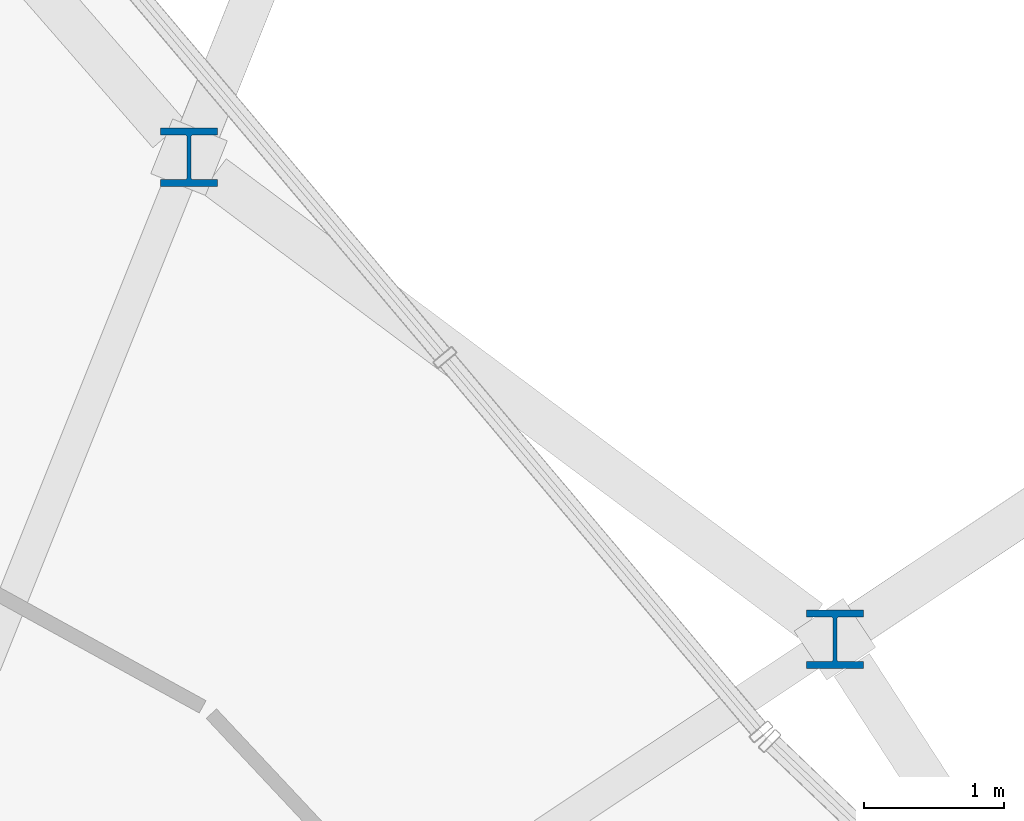
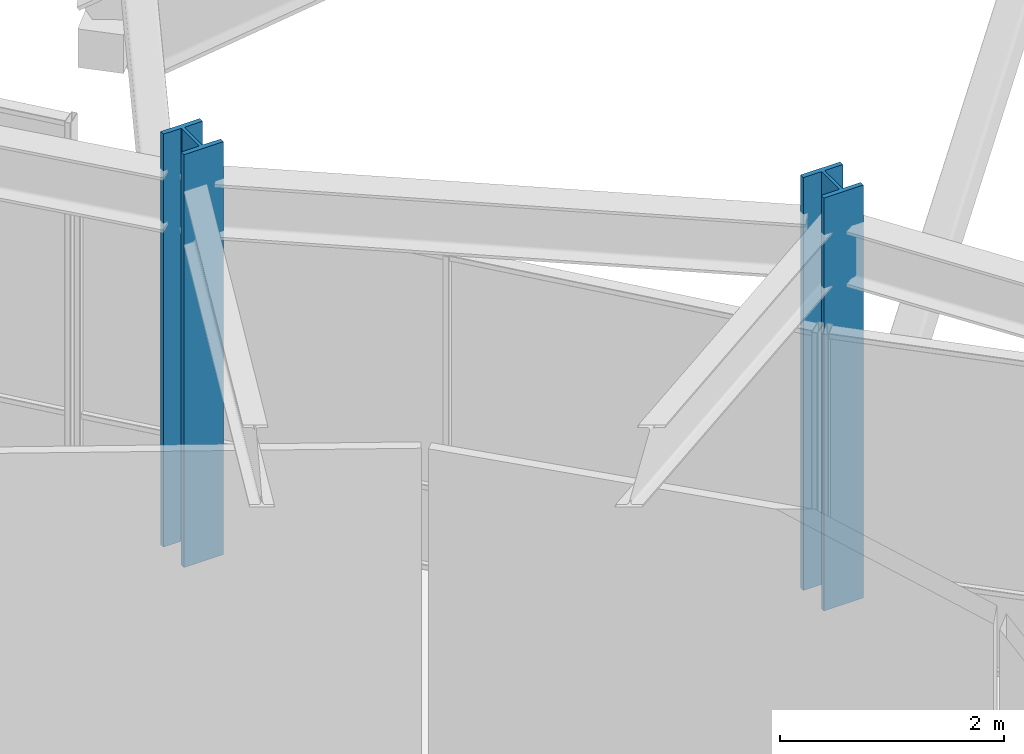
# One storey, part 4 of 53: 2 columns.
"""IFC4 building model written with IfcOpenShell, lengths in metres."""

import ifcopenshell
import ifcopenshell.guid

model = None  # the IFC model being written
_history = None  # IfcOwnerHistory: only IFC2X3 demands one
_inside = {}  # id of a spatial element -> (the spatial element, [elements in it])
_under = {}  # id of a project, library or spatial element -> (it, [spatial elements below it])
_declared = {}  # id of a project -> (the project, [libraries it declares])
_typed = {}  # id of a type object -> (the type object, [elements of that type])
_made_of = {}  # id of a material, layer set ... -> (it, [elements and type objects made of it])


def new_model(schema):
    """Start an empty IFC model of exactly this schema.

    Asked for "IFC4X3", IfcOpenShell would pick the latest addendum, in which some entities
    have other attributes; the version numbers below select the first issue.
    IFC2X3 requires an IfcOwnerHistory on every rooted entity: one is made here for all.
    """
    global model, _history
    if schema == "IFC4X3":
        model = ifcopenshell.file(schema_version=(4, 3, 0, 0))
    else:
        model = ifcopenshell.file(schema=schema)
    _inside.clear()
    _under.clear()
    _declared.clear()
    _typed.clear()
    _made_of.clear()
    _history = None
    if model.schema == "IFC2X3":
        org = make("IfcOrganization", Name="unknown")
        user = make(
            "IfcPersonAndOrganization",
            ThePerson=make("IfcPerson", FamilyName="unknown"),
            TheOrganization=org,
        )
        app = make(
            "IfcApplication",
            ApplicationDeveloper=org,
            Version="unknown",
            ApplicationFullName="unknown",
            ApplicationIdentifier="unknown",
        )
        _history = make(
            "IfcOwnerHistory",
            OwningUser=user,
            OwningApplication=app,
            ChangeAction="ADDED",
            CreationDate=0,
        )
    return model


def make(cls, **values):
    """One entity of the class cls with the attributes given. An attribute that is None is left unset."""
    return model.create_entity(
        cls, **{name: value for name, value in values.items() if value is not None}
    )


def rooted(cls, **values):
    """An entity with a GlobalId (a new one), such as an element, a storey or a relation."""
    return make(cls, GlobalId=ifcopenshell.guid.new(), OwnerHistory=_history, **values)


def si_unit(unit_type, name, prefix=None):
    """IfcSIUnit, for example si_unit("LENGTHUNIT", "METRE", prefix="MILLI")."""
    return make("IfcSIUnit", UnitType=unit_type, Prefix=prefix, Name=name)


def assignment(units):
    """IfcUnitAssignment: the units of a project."""
    return None if units is None else make("IfcUnitAssignment", Units=units)


def point(xyz):
    """IfcCartesianPoint."""
    return None if xyz is None else make("IfcCartesianPoint", Coordinates=xyz)


def direction(xyz):
    """IfcDirection."""
    return None if xyz is None else make("IfcDirection", DirectionRatios=xyz)


def frame(location, z_axis=None, x_axis=None):
    """IfcAxis2Placement3D, a coordinate frame: its origin and axes. An axis left out is left unset."""
    return make(
        "IfcAxis2Placement3D",
        Location=point(location),
        Axis=direction(z_axis),
        RefDirection=direction(x_axis),
    )


def frame_2d(location, x_axis=None):
    """IfcAxis2Placement2D, a coordinate frame in the plane: its origin and x axis."""
    return make(
        "IfcAxis2Placement2D", Location=point(location), RefDirection=direction(x_axis)
    )


def origin():
    """The frame at (0, 0, 0) with its axes left unset."""
    return frame((0.0, 0.0, 0.0))


def origin_2d():
    """The frame at (0, 0) in the plane with its x axis left unset."""
    return frame_2d((0.0, 0.0))


def place(relative_to, where):
    """IfcLocalPlacement: puts the frame where relative to a parent placement (None: the world)."""
    return make(
        "IfcLocalPlacement", PlacementRelTo=relative_to, RelativePlacement=where
    )


def context(
    kind, dimensions, precision=None, world=None, true_north=None, identifier=None
):
    """IfcGeometricRepresentationContext, for example the 3D "Model" context."""
    return make(
        "IfcGeometricRepresentationContext",
        ContextIdentifier=identifier,
        ContextType=kind,
        CoordinateSpaceDimension=dimensions,
        Precision=precision,
        WorldCoordinateSystem=world,
        TrueNorth=true_north,
    )


def subcontext(parent, identifier, kind, view, scale=None):
    """IfcGeometricRepresentationSubContext, for example "Body" below "Model"."""
    return make(
        "IfcGeometricRepresentationSubContext",
        ContextIdentifier=identifier,
        ContextType=kind,
        ParentContext=parent,
        TargetScale=scale,
        TargetView=view,
    )


def project(units=None, contexts=None):
    """IfcProject with its units and contexts."""
    return rooted(
        "IfcProject",
        Name="project",
        RepresentationContexts=contexts,
        UnitsInContext=assignment(units),
    )


def spatial(cls, under=None, at=None, **own):
    """A site, building, storey or space (cls), placed at a placement, below another one or the project."""
    s = rooted(cls, ObjectPlacement=at, **own)
    if under is not None:
        _under.setdefault(under.id(), (under, []))[1].append(s)
    return s


def profile(cls, at=None, kind="AREA", **sizes):
    """A parametric profile (cls). Its sizes go by their IFC names, for example OverallWidth=200.0."""
    return make(cls, ProfileType=kind, Position=at, **sizes)


def i_section(**sizes):
    """IfcIShapeProfileDef."""
    return profile("IfcIShapeProfileDef", **sizes)


def extrude(swept, where, along, depth):
    """IfcExtrudedAreaSolid: the profile swept, set in the frame where, extruded along a direction by depth."""
    return make(
        "IfcExtrudedAreaSolid",
        SweptArea=swept,
        Position=where,
        ExtrudedDirection=direction(along),
        Depth=depth,
    )


def shape(context_of_items, identifier, shape_type, items):
    """IfcShapeRepresentation: the items that make up one representation, for example the "Body"."""
    return make(
        "IfcShapeRepresentation",
        ContextOfItems=context_of_items,
        RepresentationIdentifier=identifier,
        RepresentationType=shape_type,
        Items=items,
    )


def material(Name=None, Category=None):
    """IfcMaterial."""
    return make("IfcMaterial", Name=Name, Category=Category)


def material_profile(
    of_material, cross_section, Name=None, Category=None, Priority=None
):
    """IfcMaterialProfile: a cross section and its material."""
    return make(
        "IfcMaterialProfile",
        Name=Name,
        Material=of_material,
        Profile=cross_section,
        Priority=Priority,
        Category=Category,
    )


def profile_set(profiles, Name=None, composite=None):
    """IfcMaterialProfileSet."""
    return make(
        "IfcMaterialProfileSet",
        Name=Name,
        MaterialProfiles=profiles,
        CompositeProfile=composite,
    )


def made_of(thing, what):
    """Note that an element or type object is made of a material, layer set ...; save() writes the relation."""
    if what is not None:
        _made_of.setdefault(what.id(), (what, []))[1].append(thing)
    return thing


def type_object(cls, material=None, **own):
    """A type object (cls), such as IfcWallType, which elements share."""
    return made_of(rooted(cls, **own), material)


def element(
    cls,
    number,
    at=None,
    inside=None,
    cuts=None,
    type_object=None,
    material=None,
    context=None,
    identifier="Body",
    shape_type=None,
    held_by="IfcProductDefinitionShape",
    body=None,
    shapes=None,
    **own,
):
    """One element of the class cls, such as IfcWall. Its Tag is "e" and its number.

    at: its placement. inside: the storey or other place that contains it. cuts: it is an
    opening in that element (IfcRelVoidsElement). A single representation is given by context,
    identifier, shape_type and body (its items); several are given by shapes. held_by: the class
    of the entity that holds the representations. save() writes the other relations.
    """
    e = rooted(cls, Tag="e%d" % number, ObjectPlacement=at, **own)
    if body is not None:
        shapes = [shape(context, identifier, shape_type, body)]
    if shapes is not None:
        e.Representation = make(held_by, Representations=shapes)
    if inside is not None:
        _inside.setdefault(inside.id(), (inside, []))[1].append(e)
    if cuts is not None:
        rooted(
            "IfcRelVoidsElement", RelatingBuildingElement=cuts, RelatedOpeningElement=e
        )
    if type_object is not None:
        _typed.setdefault(type_object.id(), (type_object, []))[1].append(e)
    return made_of(e, material)


def aggregate(whole, parts):
    """IfcRelAggregates: a whole, such as a stair, and the parts it consists of."""
    return rooted("IfcRelAggregates", RelatingObject=whole, RelatedObjects=parts)


def save(model, path):
    """Write the relations noted so far, then the file.

    IfcRelAggregates (storeys below a building ...), IfcRelContainedInSpatialStructure (elements
    in a storey), IfcRelDefinesByType, IfcRelAssociatesMaterial and IfcRelDeclares: one each for
    every whole, place, type object, material and project.
    """
    for whole, parts in _under.values():
        aggregate(whole, parts)
    for where, things in _inside.values():
        rooted(
            "IfcRelContainedInSpatialStructure",
            RelatedElements=things,
            RelatingStructure=where,
        )
    for kind, things in _typed.values():
        rooted("IfcRelDefinesByType", RelatedObjects=things, RelatingType=kind)
    for what, things in _made_of.values():
        rooted("IfcRelAssociatesMaterial", RelatedObjects=things, RelatingMaterial=what)
    for by, libraries in _declared.values():
        rooted("IfcRelDeclares", RelatingContext=by, RelatedDefinitions=libraries)
    model.write(path)


model = new_model("IFC4")

# Units and contexts
model_context = context("Model", 3, precision=1e-05, world=origin(), true_north=direction((0.0, 1.0)))
body_context = subcontext(model_context, "Body", "Model", "MODEL_VIEW")
ifc_project = project(units=[si_unit("LENGTHUNIT", "METRE"), si_unit("AREAUNIT", "SQUARE_METRE"), si_unit("VOLUMEUNIT", "CUBIC_METRE"), si_unit("PLANEANGLEUNIT", "RADIAN"), si_unit("MASSUNIT", "GRAM", prefix="KILO")], contexts=[model_context])

# Site, building, storey
site_placement = place(None, origin())
site = spatial("IfcSite", under=ifc_project, at=site_placement, CompositionType="ELEMENT")
building_placement = place(site_placement, origin())
building = spatial("IfcBuilding", under=site, at=building_placement, Name="Kelanora Arch Commons", CompositionType="ELEMENT")
storey_placement = place(building_placement, frame((0.0, 0.0, 9.0)))
storey = spatial("IfcBuildingStorey", under=building, at=storey_placement, Name="L02", CompositionType="ELEMENT", Elevation=9.0)

# Columns
ifc_material = material(Name="Steel S355", Category="steel")
ifc_material_profile = material_profile(ifc_material, i_section(OverallWidth=0.406005859375, OverallDepth=0.416015625, WebThickness=0.029052734375, FlangeThickness=0.048095703125, FilletRadius=0.014892578125, at=origin_2d()), Name="HD400x382")
ifc_profile_set = profile_set([ifc_material_profile], Name="Steel S355")
column_type = type_object("IfcColumnType", Name="COL-PORCH", PredefinedType="COLUMN", material=ifc_profile_set)
for number, where, z_axis, x_axis, name in (
    (1, (90.156494140625, 70.426025390625, 0.0), (0.0, 0.0, 1.0), (1.0, 0.0, 0.0), "Recessed Arch Portal Column CAP-04 L02"),
    (2, (85.545654296875, 73.866455078125, 0.0), (0.0, 0.0, 1.0), (1.0, 0.0, 0.0), "Recessed Arch Portal Column CAP-06 L02"),
):
    element("IfcColumn", number, at=place(storey_placement, frame(where, z_axis=z_axis, x_axis=x_axis)), inside=storey, type_object=column_type, Name=name, PredefinedType="COLUMN", context=body_context, shape_type="SweptSolid", body=[
        extrude(i_section(OverallWidth=0.406005859375, OverallDepth=0.416015625, WebThickness=0.029052734375, FlangeThickness=0.048095703125, FilletRadius=0.014892578125, at=origin_2d()), origin(), (0.0, 0.0, 1.0), 4.5),
    ])

save(model, "model.ifc")
